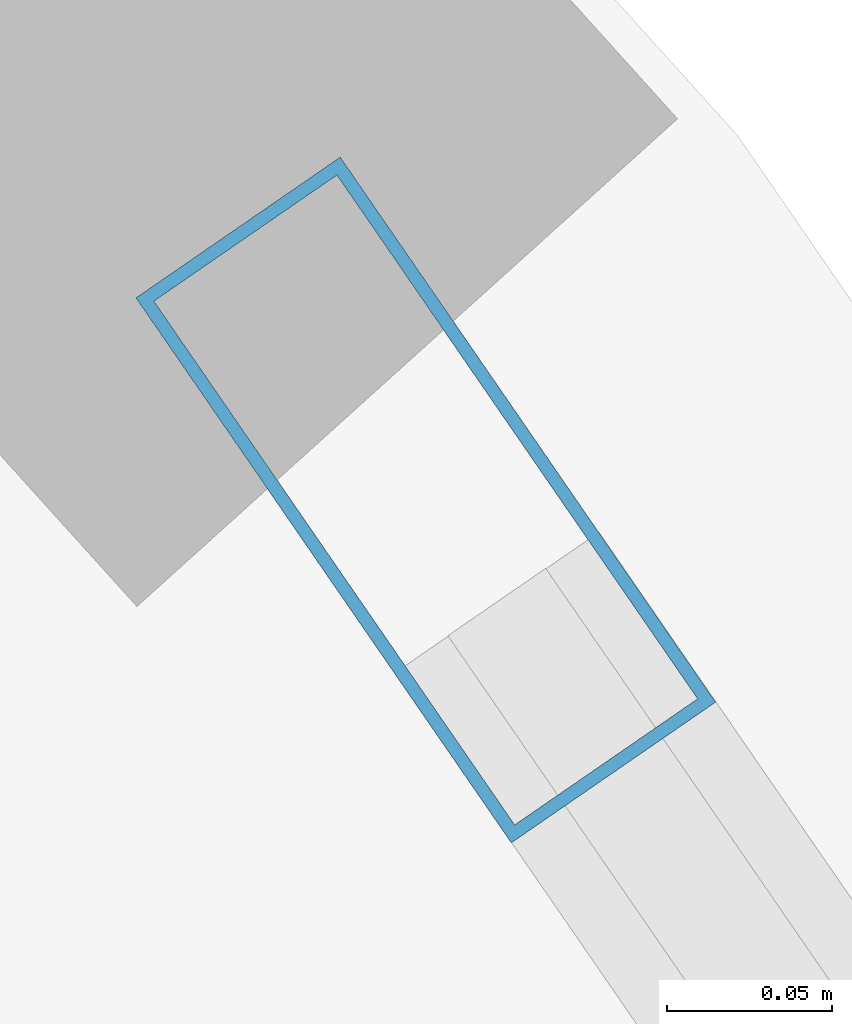
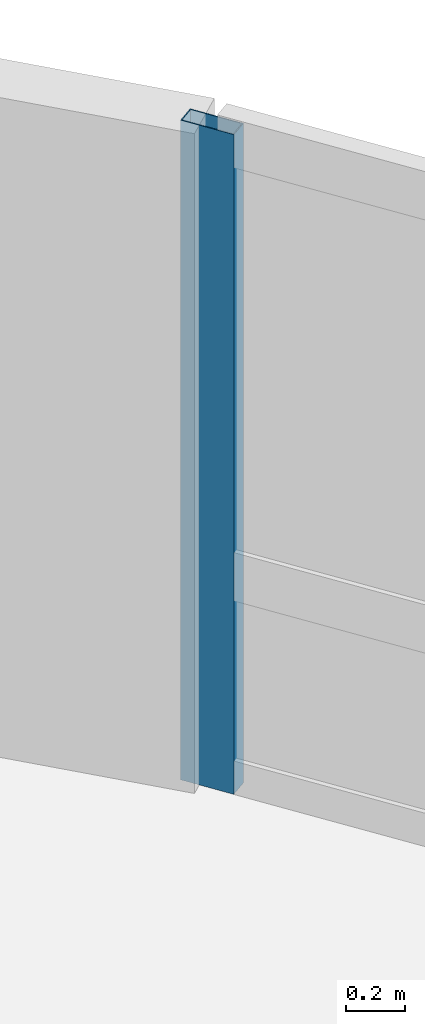
# One storey, part 12 of 22: 1 member, 1 element without a shape of its own.
"""IFC4 building model written with IfcOpenShell, lengths in metres."""

from ifc_helpers import new_model, si_unit, direction, frame, origin, origin_2d, place, context, subcontext, project, spatial, hollow_rectangle, extrude, material, layer, layer_set, material_profile, profile_set, type_object, element, aggregate, save


model = new_model("IFC4")

# Units and contexts
model_context = context("Model", 3, precision=1e-05, world=origin(), true_north=direction((0.0, 1.0)))
body_context = subcontext(model_context, "Body", "Model", "MODEL_VIEW")
ifc_project = project(units=[si_unit("LENGTHUNIT", "METRE"), si_unit("AREAUNIT", "SQUARE_METRE"), si_unit("VOLUMEUNIT", "CUBIC_METRE"), si_unit("PLANEANGLEUNIT", "RADIAN"), si_unit("MASSUNIT", "GRAM", prefix="KILO")], contexts=[model_context])

# Site, building, storey
site_placement = place(None, origin())
site = spatial("IfcSite", under=ifc_project, at=site_placement, CompositionType="ELEMENT")
building_placement = place(site_placement, origin())
building = spatial("IfcBuilding", under=site, at=building_placement, Name="Varnelok Gate Tower", CompositionType="ELEMENT")
storey_placement = place(building_placement, frame((0.0, 0.0, 280.39990234375)))
storey = spatial("IfcBuildingStorey", under=building, at=storey_placement, Name="L72", CompositionType="ELEMENT", Elevation=280.39990234375)

# Curtain wall, member
ifc_material = material(Name="Anodized Aluminum Alloy 6063-T6", Category="aluminium")
ifc_layer = layer(ifc_material, 0.179931640625)
ifc_layer_set = layer_set([ifc_layer], Name="Anodized Aluminum Alloy 6063-T6")
curtain_wall_type = type_object("IfcCurtainWallType", Name="CW4-RESIDENCE-VISION", PredefinedType="USERDEFINED", material=ifc_layer_set)
curtain_wall_placement = place(storey_placement, origin())
curtain_wall = element("IfcCurtainWall", 1, at=curtain_wall_placement, inside=storey, type_object=curtain_wall_type, Name="L72 East End Vision Curtain Wall", ObjectType="UNITISED CURTAIN WALL", PredefinedType="USERDEFINED")
ifc_material_profile = material_profile(ifc_material, hollow_rectangle(XDim=0.074951171875, YDim=0.199951171875, WallThickness=0.00390625, at=origin_2d()), Name="ALU200X75X4")
ifc_profile_set = profile_set([ifc_material_profile], Name="Anodized Aluminum Alloy 6063-T6")
member_type = type_object("IfcMemberType", Name="CW-MULL-200", PredefinedType="MULLION", material=ifc_profile_set)
member_placement = place(storey_placement, frame((57.515380859375, 56.8134765625, 0.0), z_axis=(0.0, 0.0, 1.0), x_axis=(0.823532290241, 0.567269395376, 0.0)))
member = element("IfcMember", 2, at=member_placement, type_object=member_type, Name="CW4 mullion 1", PredefinedType="MULLION", context=body_context, shape_type="SweptSolid", body=[
    extrude(hollow_rectangle(XDim=0.074951171875, YDim=0.199951171875, WallThickness=0.00390625, at=origin_2d()), origin(), (0.0, 0.0, 1.0), 2.72998046875),
])
aggregate(curtain_wall, [member])

save(model, "model.ifc")
